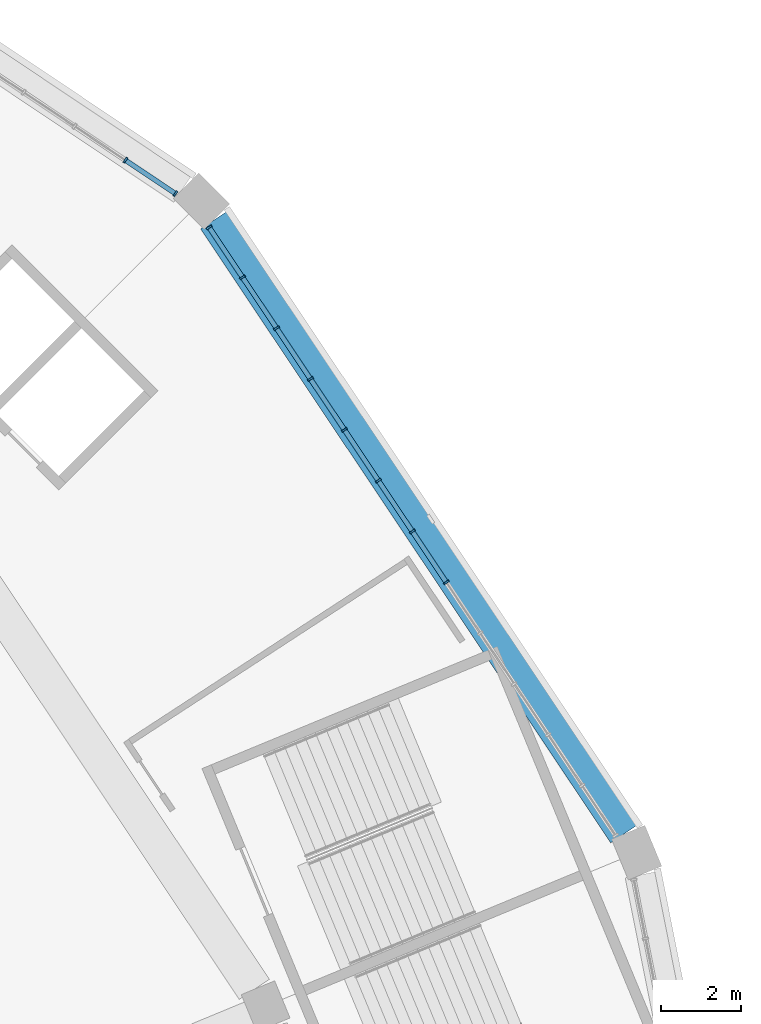
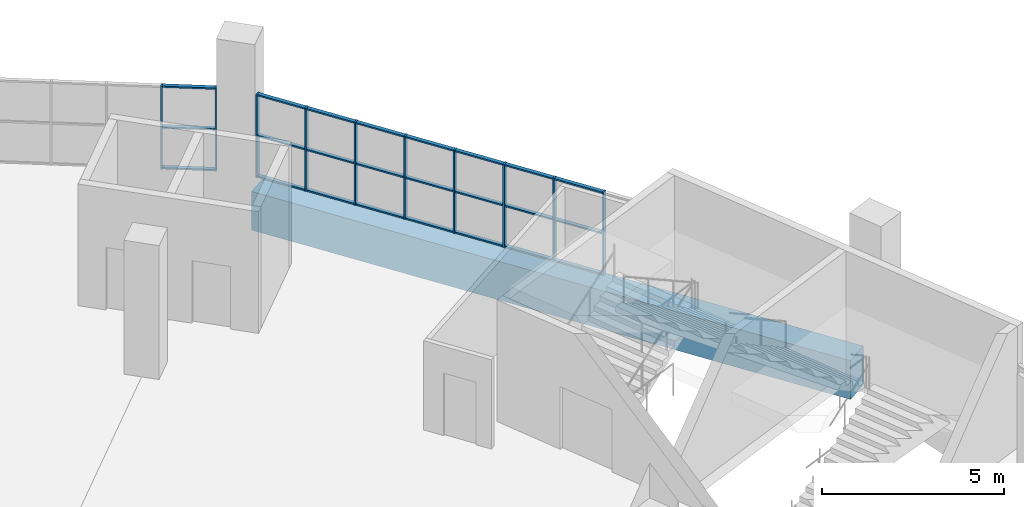
# One storey, part 52 of 199: 34 members, 1 beam, 2 elements without a shape of their own.
"""IFC4 building model written with IfcOpenShell, lengths in metres."""

from ifc_helpers import new_model, si_unit, direction, frame, origin, origin_2d, place, context, subcontext, project, spatial, rectangle, extrude, material, material_profile, profile_set, type_object, element, aggregate, save


model = new_model("IFC4")

# Units and contexts
model_context = context("Model", 3, precision=1e-05, world=origin(), true_north=direction((0.0, 1.0)))
body_context = subcontext(model_context, "Body", "Model", "MODEL_VIEW")
ifc_project = project(units=[si_unit("LENGTHUNIT", "METRE"), si_unit("AREAUNIT", "SQUARE_METRE"), si_unit("VOLUMEUNIT", "CUBIC_METRE"), si_unit("PLANEANGLEUNIT", "RADIAN"), si_unit("MASSUNIT", "GRAM", prefix="KILO")], contexts=[model_context])

# Site, building, storey
site_placement = place(None, origin())
site = spatial("IfcSite", under=ifc_project, at=site_placement, CompositionType="ELEMENT")
building_placement = place(site_placement, origin())
building = spatial("IfcBuilding", under=site, at=building_placement, Name="Ogive Plaza Stadium", CompositionType="ELEMENT")
storey_placement = place(building_placement, frame((0.0, 0.0, 4.5)))
storey = spatial("IfcBuildingStorey", under=building, at=storey_placement, Name="L01", CompositionType="ELEMENT", Elevation=4.5)

# Curtain wall, members
ifc_material_1 = material(Name="Bronze-anodised aluminium with laminated glass", Category="aluminium")
curtain_wall_type = type_object("IfcCurtainWallType", Name="Lancet curtain wall", PredefinedType="NOTDEFINED", material=ifc_material_1)
curtain_wall_1_placement = place(storey_placement, origin())
curtain_wall_1 = element("IfcCurtainWall", 1, at=curtain_wall_1_placement, inside=storey, type_object=curtain_wall_type, Name="CURTAIN WALL B38 L01", PredefinedType="NOTDEFINED")
ifc_material_2 = material(Name="Bronze-anodised aluminium", Category="aluminium")
ifc_material_profile_1 = material_profile(ifc_material_2, rectangle(XDim=0.14990234375, YDim=0.050048828125, at=origin_2d()), Name="AL 150x50")
ifc_profile_set_1 = profile_set([ifc_material_profile_1], Name="Bronze-anodised aluminium")
member_type_1 = type_object("IfcMemberType", Name="Curtain wall mullion 50x150", PredefinedType="MULLION", material=ifc_profile_set_1)
member_1_placement = place(storey_placement, frame((67.462646484375, 88.879638671875, 0.0), z_axis=(0.0, 0.0, 1.0), x_axis=(0.55557023302, 0.831469612303, 0.0)))
member_1 = element("IfcMember", 2, at=member_1_placement, type_object=member_type_1, Name="CW-B38-L01 mullion 12", PredefinedType="MULLION", context=body_context, shape_type="SweptSolid", body=[
    extrude(rectangle(XDim=0.14990234375, YDim=0.050048828125, at=origin_2d()), origin(), (0.0, 0.0, 1.0), 2.7900390625),
])
member_2_placement = place(storey_placement, frame((68.70751953125, 88.047607421875, 0.0), z_axis=(0.0, 0.0, 1.0), x_axis=(0.55557023302, 0.831469612303, 0.0)))
member_2 = element("IfcMember", 3, at=member_2_placement, type_object=member_type_1, Name="CW-B38-L01 mullion 13", PredefinedType="MULLION", context=body_context, shape_type="SweptSolid", body=[
    extrude(rectangle(XDim=0.14990234375, YDim=0.050048828125, at=origin_2d()), origin(), (0.0, 0.0, 1.0), 2.7900390625),
])

curtain_wall_2_placement = place(storey_placement, origin())
curtain_wall_2 = element("IfcCurtainWall", 4, at=curtain_wall_2_placement, inside=storey, type_object=curtain_wall_type, Name="CURTAIN WALL B39 L01", PredefinedType="NOTDEFINED")
member_3_placement = place(storey_placement, frame((69.547607421875, 87.20751953125, 0.0), z_axis=(0.0, 0.0, 1.0), x_axis=(0.831469612303, 0.55557023302, 0.0)))
member_3 = element("IfcMember", 5, at=member_3_placement, type_object=member_type_1, Name="CW-B39-L01 mullion 1", PredefinedType="MULLION", context=body_context, shape_type="SweptSolid", body=[
    extrude(rectangle(XDim=0.14990234375, YDim=0.050048828125, at=origin_2d()), origin(), (0.0, 0.0, 1.0), 2.7900390625),
])
member_4_placement = place(storey_placement, frame((70.379638671875, 85.962646484375, 0.0), z_axis=(0.0, 0.0, 1.0), x_axis=(0.831469612303, 0.55557023302, 0.0)))
member_4 = element("IfcMember", 6, at=member_4_placement, type_object=member_type_1, Name="CW-B39-L01 mullion 2", PredefinedType="MULLION", context=body_context, shape_type="SweptSolid", body=[
    extrude(rectangle(XDim=0.14990234375, YDim=0.050048828125, at=origin_2d()), origin(), (0.0, 0.0, 1.0), 2.7900390625),
])
member_5_placement = place(storey_placement, frame((71.225341796875, 84.69677734375, 0.0), z_axis=(0.0, 0.0, 1.0), x_axis=(0.831469612303, 0.55557023302, 0.0)))
member_5 = element("IfcMember", 7, at=member_5_placement, type_object=member_type_1, Name="CW-B39-L01 mullion 3", PredefinedType="MULLION", context=body_context, shape_type="SweptSolid", body=[
    extrude(rectangle(XDim=0.14990234375, YDim=0.050048828125, at=origin_2d()), origin(), (0.0, 0.0, 1.0), 2.7900390625),
])
member_6_placement = place(storey_placement, frame((72.071044921875, 83.430908203125, 0.0), z_axis=(0.0, 0.0, 1.0), x_axis=(0.831469612303, 0.55557023302, 0.0)))
member_6 = element("IfcMember", 8, at=member_6_placement, type_object=member_type_1, Name="CW-B39-L01 mullion 4", PredefinedType="MULLION", context=body_context, shape_type="SweptSolid", body=[
    extrude(rectangle(XDim=0.14990234375, YDim=0.050048828125, at=origin_2d()), origin(), (0.0, 0.0, 1.0), 2.7900390625),
])
member_7_placement = place(storey_placement, frame((72.916748046875, 82.165283203125, 0.0), z_axis=(0.0, 0.0, 1.0), x_axis=(0.831469612303, 0.55557023302, 0.0)))
member_7 = element("IfcMember", 9, at=member_7_placement, type_object=member_type_1, Name="CW-B39-L01 mullion 5", PredefinedType="MULLION", context=body_context, shape_type="SweptSolid", body=[
    extrude(rectangle(XDim=0.14990234375, YDim=0.050048828125, at=origin_2d()), origin(), (0.0, 0.0, 1.0), 2.7900390625),
])
member_8_placement = place(storey_placement, frame((73.7626953125, 80.8994140625, 0.0), z_axis=(0.0, 0.0, 1.0), x_axis=(0.831469612303, 0.55557023302, 0.0)))
member_8 = element("IfcMember", 10, at=member_8_placement, type_object=member_type_1, Name="CW-B39-L01 mullion 6", PredefinedType="MULLION", context=body_context, shape_type="SweptSolid", body=[
    extrude(rectangle(XDim=0.14990234375, YDim=0.050048828125, at=origin_2d()), origin(), (0.0, 0.0, 1.0), 2.7900390625),
])
member_9_placement = place(storey_placement, frame((74.6083984375, 79.633544921875, 0.0), z_axis=(0.0, 0.0, 1.0), x_axis=(0.831469612303, 0.55557023302, 0.0)))
member_9 = element("IfcMember", 11, at=member_9_placement, type_object=member_type_1, Name="CW-B39-L01 mullion 7", PredefinedType="MULLION", context=body_context, shape_type="SweptSolid", body=[
    extrude(rectangle(XDim=0.14990234375, YDim=0.050048828125, at=origin_2d()), origin(), (0.0, 0.0, 1.0), 2.7900390625),
])
member_10_placement = place(storey_placement, frame((75.4541015625, 78.367919921875, 0.0), z_axis=(0.0, 0.0, 1.0), x_axis=(0.831469612303, 0.55557023302, 0.0)))
member_10 = element("IfcMember", 12, at=member_10_placement, type_object=member_type_1, Name="CW-B39-L01 mullion 8", PredefinedType="MULLION", context=body_context, shape_type="SweptSolid", body=[
    extrude(rectangle(XDim=0.14990234375, YDim=0.050048828125, at=origin_2d()), origin(), (0.0, 0.0, 1.0), 2.7900390625),
])

# Member
ifc_material_3 = material(Name="Bronze-anodised aluminium", Category="aluminium")
ifc_material_profile_2 = material_profile(ifc_material_3, rectangle(XDim=0.1201171875, YDim=0.050048828125, at=origin_2d()), Name="AL 120x50")
ifc_profile_set_2 = profile_set([ifc_material_profile_2], Name="Bronze-anodised aluminium")
member_type_2 = type_object("IfcMemberType", Name="Curtain wall transom 50x120", PredefinedType="USERDEFINED", material=ifc_profile_set_2)
member_11_placement = place(storey_placement, frame((67.4833984375, 88.86572265625, 0.02490234375), z_axis=(0.831426948977, -0.555634077892, 0.0), x_axis=(0.555634077892, 0.831426948977, 0.0)))
member_11 = element("IfcMember", 13, at=member_11_placement, type_object=member_type_2, Name="CW-B38-L01 transom 12.1", ObjectType="TRANSOM", PredefinedType="USERDEFINED", context=body_context, shape_type="SweptSolid", body=[
    extrude(rectangle(XDim=0.1201171875, YDim=0.050048828125, at=origin_2d()), origin(), (0.0, 0.0, 1.0), 1.447265625),
])

member_12_placement = place(storey_placement, frame((67.4833984375, 88.86572265625, 1.39501953125), z_axis=(0.831426948977, -0.555634077892, 0.0), x_axis=(0.555634077892, 0.831426948977, 0.0)))
member_12 = element("IfcMember", 14, at=member_12_placement, type_object=member_type_2, Name="CW-B38-L01 transom 12.2", ObjectType="TRANSOM", PredefinedType="USERDEFINED", context=body_context, shape_type="SweptSolid", body=[
    extrude(rectangle(XDim=0.1201171875, YDim=0.050048828125, at=origin_2d()), origin(), (0.0, 0.0, 1.0), 1.447265625),
])

member_13_placement = place(storey_placement, frame((67.4833984375, 88.86572265625, 2.764892578125), z_axis=(0.831426948977, -0.555634077892, 0.0), x_axis=(0.555634077892, 0.831426948977, 0.0)))
member_13 = element("IfcMember", 15, at=member_13_placement, type_object=member_type_2, Name="CW-B38-L01 transom 12.3", ObjectType="TRANSOM", PredefinedType="USERDEFINED", context=body_context, shape_type="SweptSolid", body=[
    extrude(rectangle(XDim=0.1201171875, YDim=0.050048828125, at=origin_2d()), origin(), (0.0, 0.0, 1.0), 1.447265625),
])

aggregate(curtain_wall_1, [member_1, member_2, member_11, member_12, member_13])

member_14_placement = place(storey_placement, frame((69.5615234375, 87.186767578125, 0.02490234375), z_axis=(0.555634077892, -0.831426948977, 0.0), x_axis=(0.831426948977, 0.555634077892, 0.0)))
member_14 = element("IfcMember", 16, at=member_14_placement, type_object=member_type_2, Name="CW-B39-L01 transom 1.1", ObjectType="TRANSOM", PredefinedType="USERDEFINED", context=body_context, shape_type="SweptSolid", body=[
    extrude(rectangle(XDim=0.1201171875, YDim=0.050048828125, at=origin_2d()), origin(), (0.0, 0.0, 1.0), 1.447265625),
])

member_15_placement = place(storey_placement, frame((69.5615234375, 87.186767578125, 1.39501953125), z_axis=(0.555634077892, -0.831426948977, 0.0), x_axis=(0.831426948977, 0.555634077892, 0.0)))
member_15 = element("IfcMember", 17, at=member_15_placement, type_object=member_type_2, Name="CW-B39-L01 transom 1.2", ObjectType="TRANSOM", PredefinedType="USERDEFINED", context=body_context, shape_type="SweptSolid", body=[
    extrude(rectangle(XDim=0.1201171875, YDim=0.050048828125, at=origin_2d()), origin(), (0.0, 0.0, 1.0), 1.447265625),
])

member_16_placement = place(storey_placement, frame((69.5615234375, 87.186767578125, 2.764892578125), z_axis=(0.555634077892, -0.831426948977, 0.0), x_axis=(0.831426948977, 0.555634077892, 0.0)))
member_16 = element("IfcMember", 18, at=member_16_placement, type_object=member_type_2, Name="CW-B39-L01 transom 1.3", ObjectType="TRANSOM", PredefinedType="USERDEFINED", context=body_context, shape_type="SweptSolid", body=[
    extrude(rectangle(XDim=0.1201171875, YDim=0.050048828125, at=origin_2d()), origin(), (0.0, 0.0, 1.0), 1.447265625),
])

member_17_placement = place(storey_placement, frame((70.393310546875, 85.941650390625, 0.02490234375), z_axis=(0.555656472512, -0.831411982446, 0.0), x_axis=(0.831411982446, 0.555656472512, 0.0)))
member_17 = element("IfcMember", 19, at=member_17_placement, type_object=member_type_2, Name="CW-B39-L01 transom 2.1", ObjectType="TRANSOM", PredefinedType="USERDEFINED", context=body_context, shape_type="SweptSolid", body=[
    extrude(rectangle(XDim=0.1201171875, YDim=0.050048828125, at=origin_2d()), origin(), (0.0, 0.0, 1.0), 1.472412109375),
])

member_18_placement = place(storey_placement, frame((70.393310546875, 85.941650390625, 1.39501953125), z_axis=(0.555656472512, -0.831411982446, 0.0), x_axis=(0.831411982446, 0.555656472512, 0.0)))
member_18 = element("IfcMember", 20, at=member_18_placement, type_object=member_type_2, Name="CW-B39-L01 transom 2.2", ObjectType="TRANSOM", PredefinedType="USERDEFINED", context=body_context, shape_type="SweptSolid", body=[
    extrude(rectangle(XDim=0.1201171875, YDim=0.050048828125, at=origin_2d()), origin(), (0.0, 0.0, 1.0), 1.472412109375),
])

member_19_placement = place(storey_placement, frame((70.393310546875, 85.941650390625, 2.764892578125), z_axis=(0.555656472512, -0.831411982446, 0.0), x_axis=(0.831411982446, 0.555656472512, 0.0)))
member_19 = element("IfcMember", 21, at=member_19_placement, type_object=member_type_2, Name="CW-B39-L01 transom 2.3", ObjectType="TRANSOM", PredefinedType="USERDEFINED", context=body_context, shape_type="SweptSolid", body=[
    extrude(rectangle(XDim=0.1201171875, YDim=0.050048828125, at=origin_2d()), origin(), (0.0, 0.0, 1.0), 1.472412109375),
])

member_20_placement = place(storey_placement, frame((71.2392578125, 84.676025390625, 0.02490234375), z_axis=(0.555465240925, -0.83153975619, 0.0), x_axis=(0.83153975619, 0.555465240925, 0.0)))
member_20 = element("IfcMember", 22, at=member_20_placement, type_object=member_type_2, Name="CW-B39-L01 transom 3.1", ObjectType="TRANSOM", PredefinedType="USERDEFINED", context=body_context, shape_type="SweptSolid", body=[
    extrude(rectangle(XDim=0.1201171875, YDim=0.050048828125, at=origin_2d()), origin(), (0.0, 0.0, 1.0), 1.472412109375),
])

member_21_placement = place(storey_placement, frame((71.2392578125, 84.676025390625, 1.39501953125), z_axis=(0.555465240925, -0.83153975619, 0.0), x_axis=(0.83153975619, 0.555465240925, 0.0)))
member_21 = element("IfcMember", 23, at=member_21_placement, type_object=member_type_2, Name="CW-B39-L01 transom 3.2", ObjectType="TRANSOM", PredefinedType="USERDEFINED", context=body_context, shape_type="SweptSolid", body=[
    extrude(rectangle(XDim=0.1201171875, YDim=0.050048828125, at=origin_2d()), origin(), (0.0, 0.0, 1.0), 1.472412109375),
])

member_22_placement = place(storey_placement, frame((71.2392578125, 84.676025390625, 2.764892578125), z_axis=(0.555465240925, -0.83153975619, 0.0), x_axis=(0.83153975619, 0.555465240925, 0.0)))
member_22 = element("IfcMember", 24, at=member_22_placement, type_object=member_type_2, Name="CW-B39-L01 transom 3.3", ObjectType="TRANSOM", PredefinedType="USERDEFINED", context=body_context, shape_type="SweptSolid", body=[
    extrude(rectangle(XDim=0.1201171875, YDim=0.050048828125, at=origin_2d()), origin(), (0.0, 0.0, 1.0), 1.472412109375),
])

member_23_placement = place(storey_placement, frame((72.0849609375, 83.41015625, 0.02490234375), z_axis=(0.555541835587, -0.831488586159, 0.0), x_axis=(0.831488586159, 0.555541835587, 0.0)))
member_23 = element("IfcMember", 25, at=member_23_placement, type_object=member_type_2, Name="CW-B39-L01 transom 4.1", ObjectType="TRANSOM", PredefinedType="USERDEFINED", context=body_context, shape_type="SweptSolid", body=[
    extrude(rectangle(XDim=0.1201171875, YDim=0.050048828125, at=origin_2d()), origin(), (0.0, 0.0, 1.0), 1.47216796875),
])

member_24_placement = place(storey_placement, frame((72.0849609375, 83.41015625, 1.39501953125), z_axis=(0.555541835587, -0.831488586159, 0.0), x_axis=(0.831488586159, 0.555541835587, 0.0)))
member_24 = element("IfcMember", 26, at=member_24_placement, type_object=member_type_2, Name="CW-B39-L01 transom 4.2", ObjectType="TRANSOM", PredefinedType="USERDEFINED", context=body_context, shape_type="SweptSolid", body=[
    extrude(rectangle(XDim=0.1201171875, YDim=0.050048828125, at=origin_2d()), origin(), (0.0, 0.0, 1.0), 1.47216796875),
])

member_25_placement = place(storey_placement, frame((72.0849609375, 83.41015625, 2.764892578125), z_axis=(0.555541835587, -0.831488586159, 0.0), x_axis=(0.831488586159, 0.555541835587, 0.0)))
member_25 = element("IfcMember", 27, at=member_25_placement, type_object=member_type_2, Name="CW-B39-L01 transom 4.3", ObjectType="TRANSOM", PredefinedType="USERDEFINED", context=body_context, shape_type="SweptSolid", body=[
    extrude(rectangle(XDim=0.1201171875, YDim=0.050048828125, at=origin_2d()), origin(), (0.0, 0.0, 1.0), 1.47216796875),
])

member_26_placement = place(storey_placement, frame((72.9306640625, 82.14453125, 0.02490234375), z_axis=(0.555579876157, -0.831463168883, 0.0), x_axis=(0.831463168883, 0.555579876157, 0.0)))
member_26 = element("IfcMember", 28, at=member_26_placement, type_object=member_type_2, Name="CW-B39-L01 transom 5.1", ObjectType="TRANSOM", PredefinedType="USERDEFINED", context=body_context, shape_type="SweptSolid", body=[
    extrude(rectangle(XDim=0.1201171875, YDim=0.050048828125, at=origin_2d()), origin(), (0.0, 0.0, 1.0), 1.47265625),
])

member_27_placement = place(storey_placement, frame((72.9306640625, 82.14453125, 1.39501953125), z_axis=(0.555579876157, -0.831463168883, 0.0), x_axis=(0.831463168883, 0.555579876157, 0.0)))
member_27 = element("IfcMember", 29, at=member_27_placement, type_object=member_type_2, Name="CW-B39-L01 transom 5.2", ObjectType="TRANSOM", PredefinedType="USERDEFINED", context=body_context, shape_type="SweptSolid", body=[
    extrude(rectangle(XDim=0.1201171875, YDim=0.050048828125, at=origin_2d()), origin(), (0.0, 0.0, 1.0), 1.47265625),
])

member_28_placement = place(storey_placement, frame((72.9306640625, 82.14453125, 2.764892578125), z_axis=(0.555579876157, -0.831463168883, 0.0), x_axis=(0.831463168883, 0.555579876157, 0.0)))
member_28 = element("IfcMember", 30, at=member_28_placement, type_object=member_type_2, Name="CW-B39-L01 transom 5.3", ObjectType="TRANSOM", PredefinedType="USERDEFINED", context=body_context, shape_type="SweptSolid", body=[
    extrude(rectangle(XDim=0.1201171875, YDim=0.050048828125, at=origin_2d()), origin(), (0.0, 0.0, 1.0), 1.47265625),
])

member_29_placement = place(storey_placement, frame((73.7763671875, 80.878662109375, 0.02490234375), z_axis=(0.555656472512, -0.831411982446, 0.0), x_axis=(0.831411982446, 0.555656472512, 0.0)))
member_29 = element("IfcMember", 31, at=member_29_placement, type_object=member_type_2, Name="CW-B39-L01 transom 6.1", ObjectType="TRANSOM", PredefinedType="USERDEFINED", context=body_context, shape_type="SweptSolid", body=[
    extrude(rectangle(XDim=0.1201171875, YDim=0.050048828125, at=origin_2d()), origin(), (0.0, 0.0, 1.0), 1.472412109375),
])

member_30_placement = place(storey_placement, frame((73.7763671875, 80.878662109375, 1.39501953125), z_axis=(0.555656472512, -0.831411982446, 0.0), x_axis=(0.831411982446, 0.555656472512, 0.0)))
member_30 = element("IfcMember", 32, at=member_30_placement, type_object=member_type_2, Name="CW-B39-L01 transom 6.2", ObjectType="TRANSOM", PredefinedType="USERDEFINED", context=body_context, shape_type="SweptSolid", body=[
    extrude(rectangle(XDim=0.1201171875, YDim=0.050048828125, at=origin_2d()), origin(), (0.0, 0.0, 1.0), 1.472412109375),
])

member_31_placement = place(storey_placement, frame((73.7763671875, 80.878662109375, 2.764892578125), z_axis=(0.555656472512, -0.831411982446, 0.0), x_axis=(0.831411982446, 0.555656472512, 0.0)))
member_31 = element("IfcMember", 33, at=member_31_placement, type_object=member_type_2, Name="CW-B39-L01 transom 6.3", ObjectType="TRANSOM", PredefinedType="USERDEFINED", context=body_context, shape_type="SweptSolid", body=[
    extrude(rectangle(XDim=0.1201171875, YDim=0.050048828125, at=origin_2d()), origin(), (0.0, 0.0, 1.0), 1.472412109375),
])

member_32_placement = place(storey_placement, frame((74.622314453125, 79.61279296875, 0.02490234375), z_axis=(0.555541835587, -0.831488586159, 0.0), x_axis=(0.831488586159, 0.555541835587, 0.0)))
member_32 = element("IfcMember", 34, at=member_32_placement, type_object=member_type_2, Name="CW-B39-L01 transom 7.1", ObjectType="TRANSOM", PredefinedType="USERDEFINED", context=body_context, shape_type="SweptSolid", body=[
    extrude(rectangle(XDim=0.1201171875, YDim=0.050048828125, at=origin_2d()), origin(), (0.0, 0.0, 1.0), 1.47216796875),
])

member_33_placement = place(storey_placement, frame((74.622314453125, 79.61279296875, 1.39501953125), z_axis=(0.555541835587, -0.831488586159, 0.0), x_axis=(0.831488586159, 0.555541835587, 0.0)))
member_33 = element("IfcMember", 35, at=member_33_placement, type_object=member_type_2, Name="CW-B39-L01 transom 7.2", ObjectType="TRANSOM", PredefinedType="USERDEFINED", context=body_context, shape_type="SweptSolid", body=[
    extrude(rectangle(XDim=0.1201171875, YDim=0.050048828125, at=origin_2d()), origin(), (0.0, 0.0, 1.0), 1.47216796875),
])

member_34_placement = place(storey_placement, frame((74.622314453125, 79.61279296875, 2.764892578125), z_axis=(0.555541835587, -0.831488586159, 0.0), x_axis=(0.831488586159, 0.555541835587, 0.0)))
member_34 = element("IfcMember", 36, at=member_34_placement, type_object=member_type_2, Name="CW-B39-L01 transom 7.3", ObjectType="TRANSOM", PredefinedType="USERDEFINED", context=body_context, shape_type="SweptSolid", body=[
    extrude(rectangle(XDim=0.1201171875, YDim=0.050048828125, at=origin_2d()), origin(), (0.0, 0.0, 1.0), 1.47216796875),
])

aggregate(curtain_wall_2, [member_3, member_4, member_5, member_6, member_7, member_8, member_9, member_10, member_14, member_15, member_16, member_17, member_18, member_19, member_20, member_21, member_22, member_23, member_24, member_25, member_26, member_27, member_28, member_29, member_30, member_31, member_32, member_33, member_34])

# Beam
ifc_material_4 = material(Name="Concrete C40/50", Category="concrete")
ifc_material_profile_3 = material_profile(ifc_material_4, rectangle(XDim=0.800048828125, YDim=1.300048828125, at=origin_2d()), Name="RC 800x1300")
ifc_profile_set_3 = profile_set([ifc_material_profile_3], Name="Concrete C40/50")
beam_type = type_object("IfcBeamType", Name="RC spandrel beam 800x1300", PredefinedType="SPANDREL", material=ifc_profile_set_3)
beam_placement = place(storey_placement, frame((69.6669921875, 87.38916015625, -1.06005859375), z_axis=(0.555557833169, -0.831477897484, 0.0), x_axis=(0.831477897484, 0.555557833169, 0.0)))
element("IfcBeam", 37, at=beam_placement, inside=storey, type_object=beam_type, Name="Ring beam F5 L01 B39", PredefinedType="SPANDREL", context=body_context, shape_type="SweptSolid", body=[
    extrude(rectangle(XDim=0.800048828125, YDim=1.300048828125, at=origin_2d()), origin(), (0.0, 0.0, 1.0), 18.387451171875),
])

save(model, "model.ifc")
